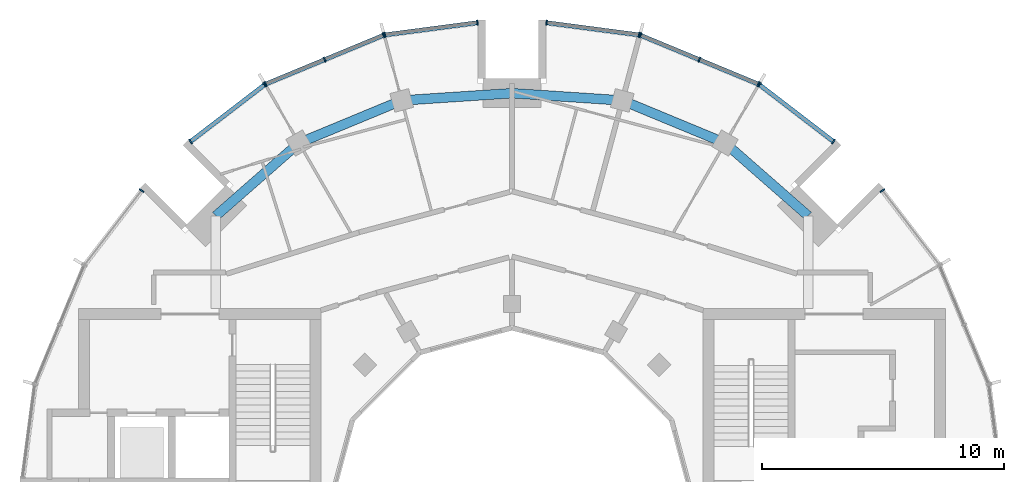
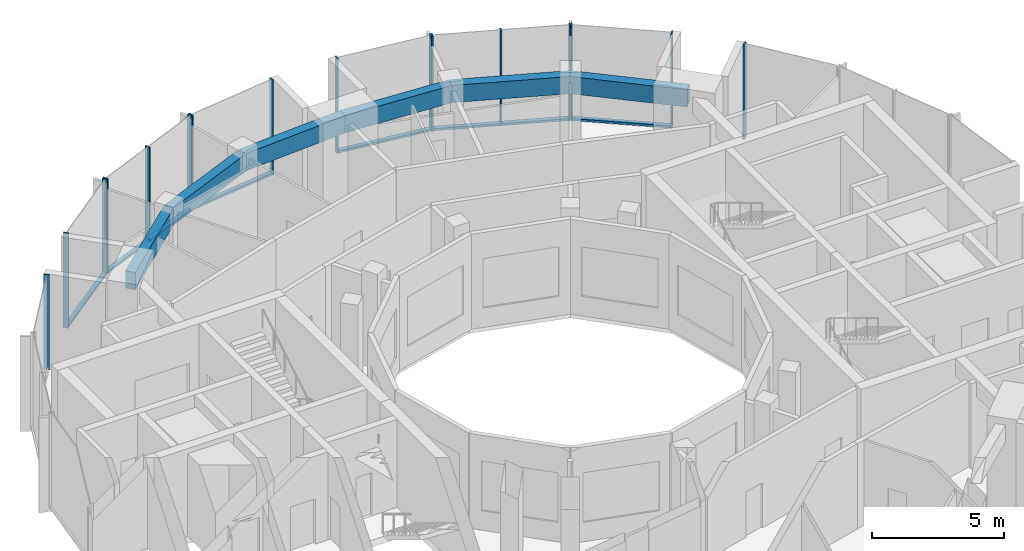
# One storey, part 5 of 13: 24 members, 6 beams, 8 elements without a shape of their own.
"""IFC4 building model written with IfcOpenShell, lengths in metres."""

from ifc_helpers import new_model, si_unit, direction, frame, origin, origin_2d, place, context, subcontext, project, spatial, rectangle, extrude, material, layer, layer_set, material_profile, profile_set, type_object, element, aggregate, save


model = new_model("IFC4")

# Units and contexts
model_context = context("Model", 3, precision=1e-05, world=origin(), true_north=direction((0.0, 1.0)))
body_context = subcontext(model_context, "Body", "Model", "MODEL_VIEW")
ifc_project = project(units=[si_unit("LENGTHUNIT", "METRE"), si_unit("AREAUNIT", "SQUARE_METRE"), si_unit("VOLUMEUNIT", "CUBIC_METRE"), si_unit("PLANEANGLEUNIT", "RADIAN"), si_unit("MASSUNIT", "GRAM", prefix="KILO")], contexts=[model_context])

# Site, building, storey
site_placement = place(None, origin())
site = spatial("IfcSite", under=ifc_project, at=site_placement, CompositionType="ELEMENT")
building_placement = place(site_placement, origin())
building = spatial("IfcBuilding", under=site, at=building_placement, Name="Torre Brocal", CompositionType="ELEMENT")
storey_placement = place(building_placement, frame((0.0, 0.0, 319.300048828125)))
storey = spatial("IfcBuildingStorey", under=building, at=storey_placement, Name="L73", CompositionType="ELEMENT", Elevation=319.300048828125)

# Curtain wall, member
ifc_material_1 = material(Name="Aluminium and glass", Category="aluminium")
ifc_layer = layer(ifc_material_1, 0.199951171875)
ifc_layer_set = layer_set([ifc_layer], Name="Aluminium and glass")
curtain_wall_type = type_object("IfcCurtainWallType", Name="CW-5 CURTAIN WALL 4400 HIGH", PredefinedType="NOTDEFINED", material=ifc_layer_set)
curtain_wall_1_placement = place(storey_placement, origin())
curtain_wall_1 = element("IfcCurtainWall", 1, at=curtain_wall_1_placement, inside=storey, type_object=curtain_wall_type, Name="CW-5 RUN 3", PredefinedType="NOTDEFINED")
ifc_material_2 = material(Name="Aluminium, dark anodised", Category="aluminium")
ifc_material_profile_1 = material_profile(ifc_material_2, rectangle(XDim=0.219970703125, YDim=0.06005859375, at=origin_2d()), Name="CW-5 MULLION 60X220")
ifc_profile_set_1 = profile_set([ifc_material_profile_1], Name="Aluminium, dark anodised")
member_type_1 = type_object("IfcMemberType", Name="CW-5 MULLION 60X220", PredefinedType="MULLION", material=ifc_profile_set_1)
member_1_placement = place(storey_placement, frame((95.30224609375, 88.2802734375, 0.0), z_axis=(0.0, 0.0, 1.0), x_axis=(-0.793353340376, -0.608761428898, 0.0)))
member_1 = element("IfcMember", 2, at=member_1_placement, type_object=member_type_1, Name="CW5-1 mullion 2", PredefinedType="MULLION", context=body_context, shape_type="SweptSolid", body=[
    extrude(rectangle(XDim=0.219970703125, YDim=0.06005859375, at=origin_2d()), origin(), (0.0, 0.0, 1.0), 4.39990234375),
])
aggregate(curtain_wall_1, [member_1])

# Curtain wall, members
curtain_wall_2_placement = place(storey_placement, origin())
curtain_wall_2 = element("IfcCurtainWall", 3, at=curtain_wall_2_placement, inside=storey, type_object=curtain_wall_type, Name="CW-5 RUN 4", PredefinedType="NOTDEFINED")
member_2_placement = place(storey_placement, frame((93.2802734375, 90.30224609375, 0.0), z_axis=(0.0, 0.0, 1.0), x_axis=(-0.608761428898, -0.793353340376, 0.0)))
member_2 = element("IfcMember", 4, at=member_2_placement, type_object=member_type_1, Name="CW5-1 mullion 1", PredefinedType="MULLION", context=body_context, shape_type="SweptSolid", body=[
    extrude(rectangle(XDim=0.219970703125, YDim=0.06005859375, at=origin_2d()), origin(), (0.0, 0.0, 1.0), 4.39990234375),
])
member_3_placement = place(storey_placement, frame((90.223388671875, 92.64794921875, 0.0), z_axis=(0.0, 0.0, 1.0), x_axis=(-0.608761428898, -0.793353340376, 0.0)))
member_3 = element("IfcMember", 5, at=member_3_placement, type_object=member_type_1, Name="CW5-1 mullion 2", PredefinedType="MULLION", context=body_context, shape_type="SweptSolid", body=[
    extrude(rectangle(XDim=0.219970703125, YDim=0.06005859375, at=origin_2d()), origin(), (0.0, 0.0, 1.0), 4.39990234375),
])

curtain_wall_3_placement = place(storey_placement, origin())
curtain_wall_3 = element("IfcCurtainWall", 6, at=curtain_wall_3_placement, inside=storey, type_object=curtain_wall_type, Name="CW-5 RUN 5", PredefinedType="NOTDEFINED")
member_4_placement = place(storey_placement, frame((90.171875, 92.677734375, 0.0), z_axis=(0.0, 0.0, 1.0), x_axis=(-0.382683432446, -0.923879532478, 0.0)))
member_4 = element("IfcMember", 7, at=member_4_placement, type_object=member_type_1, Name="CW5-1 mullion 1", PredefinedType="MULLION", context=body_context, shape_type="SweptSolid", body=[
    extrude(rectangle(XDim=0.219970703125, YDim=0.06005859375, at=origin_2d()), origin(), (0.0, 0.0, 1.0), 4.39990234375),
])
member_5_placement = place(storey_placement, frame((87.73974609375, 93.68505859375, 0.0), z_axis=(0.0, 0.0, 1.0), x_axis=(-0.382683432446, -0.923879532478, 0.0)))
member_5 = element("IfcMember", 8, at=member_5_placement, type_object=member_type_1, Name="CW5-1 mullion 2", PredefinedType="MULLION", context=body_context, shape_type="SweptSolid", body=[
    extrude(rectangle(XDim=0.219970703125, YDim=0.06005859375, at=origin_2d()), origin(), (0.0, 0.0, 1.0), 4.39990234375),
])
member_6_placement = place(storey_placement, frame((85.307373046875, 94.692626953125, 0.0), z_axis=(0.0, 0.0, 1.0), x_axis=(-0.382683432446, -0.923879532478, 0.0)))
member_6 = element("IfcMember", 9, at=member_6_placement, type_object=member_type_1, Name="CW5-1 mullion 3", PredefinedType="MULLION", context=body_context, shape_type="SweptSolid", body=[
    extrude(rectangle(XDim=0.219970703125, YDim=0.06005859375, at=origin_2d()), origin(), (0.0, 0.0, 1.0), 4.39990234375),
])

curtain_wall_4_placement = place(storey_placement, origin())
curtain_wall_4 = element("IfcCurtainWall", 10, at=curtain_wall_4_placement, inside=storey, type_object=curtain_wall_type, Name="CW-5 RUN 6", PredefinedType="NOTDEFINED")
member_7_placement = place(storey_placement, frame((85.25, 94.7080078125, 0.0), z_axis=(0.0, 0.0, 1.0), x_axis=(-0.130526192064, -0.991444861394, 0.0)))
member_7 = element("IfcMember", 11, at=member_7_placement, type_object=member_type_1, Name="CW5-1 mullion 1", PredefinedType="MULLION", context=body_context, shape_type="SweptSolid", body=[
    extrude(rectangle(XDim=0.219970703125, YDim=0.06005859375, at=origin_2d()), origin(), (0.0, 0.0, 1.0), 4.39990234375),
])
member_8_placement = place(storey_placement, frame((81.4296875, 95.2109375, 0.0), z_axis=(0.0, 0.0, 1.0), x_axis=(-0.130526192064, -0.991444861394, 0.0)))
member_8 = element("IfcMember", 12, at=member_8_placement, type_object=member_type_1, Name="CW5-1 mullion 2", PredefinedType="MULLION", context=body_context, shape_type="SweptSolid", body=[
    extrude(rectangle(XDim=0.219970703125, YDim=0.06005859375, at=origin_2d()), origin(), (0.0, 0.0, 1.0), 4.39990234375),
])

curtain_wall_5_placement = place(storey_placement, origin())
curtain_wall_5 = element("IfcCurtainWall", 13, at=curtain_wall_5_placement, inside=storey, type_object=curtain_wall_type, Name="CW-5 RUN 7", PredefinedType="NOTDEFINED")
member_9_placement = place(storey_placement, frame((78.5703125, 95.2109375, 0.0), z_axis=(0.0, 0.0, 1.0), x_axis=(0.130526192064, -0.991444861394, 0.0)))
member_9 = element("IfcMember", 14, at=member_9_placement, type_object=member_type_1, Name="CW5-1 mullion 1", PredefinedType="MULLION", context=body_context, shape_type="SweptSolid", body=[
    extrude(rectangle(XDim=0.219970703125, YDim=0.06005859375, at=origin_2d()), origin(), (0.0, 0.0, 1.0), 4.39990234375),
])
member_10_placement = place(storey_placement, frame((74.75, 94.7080078125, 0.0), z_axis=(0.0, 0.0, 1.0), x_axis=(0.130526192064, -0.991444861394, 0.0)))
member_10 = element("IfcMember", 15, at=member_10_placement, type_object=member_type_1, Name="CW5-1 mullion 2", PredefinedType="MULLION", context=body_context, shape_type="SweptSolid", body=[
    extrude(rectangle(XDim=0.219970703125, YDim=0.06005859375, at=origin_2d()), origin(), (0.0, 0.0, 1.0), 4.39990234375),
])

curtain_wall_6_placement = place(storey_placement, origin())
curtain_wall_6 = element("IfcCurtainWall", 16, at=curtain_wall_6_placement, inside=storey, type_object=curtain_wall_type, Name="CW-5 RUN 8", PredefinedType="NOTDEFINED")
member_11_placement = place(storey_placement, frame((74.692626953125, 94.692626953125, 0.0), z_axis=(0.0, 0.0, 1.0), x_axis=(0.382683432446, -0.923879532478, 0.0)))
member_11 = element("IfcMember", 17, at=member_11_placement, type_object=member_type_1, Name="CW5-1 mullion 1", PredefinedType="MULLION", context=body_context, shape_type="SweptSolid", body=[
    extrude(rectangle(XDim=0.219970703125, YDim=0.06005859375, at=origin_2d()), origin(), (0.0, 0.0, 1.0), 4.39990234375),
])
member_12_placement = place(storey_placement, frame((72.26025390625, 93.68505859375, 0.0), z_axis=(0.0, 0.0, 1.0), x_axis=(0.382683432446, -0.923879532478, 0.0)))
member_12 = element("IfcMember", 18, at=member_12_placement, type_object=member_type_1, Name="CW5-1 mullion 2", PredefinedType="MULLION", context=body_context, shape_type="SweptSolid", body=[
    extrude(rectangle(XDim=0.219970703125, YDim=0.06005859375, at=origin_2d()), origin(), (0.0, 0.0, 1.0), 4.39990234375),
])
member_13_placement = place(storey_placement, frame((69.828125, 92.677734375, 0.0), z_axis=(0.0, 0.0, 1.0), x_axis=(0.382683432446, -0.923879532478, 0.0)))
member_13 = element("IfcMember", 19, at=member_13_placement, type_object=member_type_1, Name="CW5-1 mullion 3", PredefinedType="MULLION", context=body_context, shape_type="SweptSolid", body=[
    extrude(rectangle(XDim=0.219970703125, YDim=0.06005859375, at=origin_2d()), origin(), (0.0, 0.0, 1.0), 4.39990234375),
])

curtain_wall_7_placement = place(storey_placement, origin())
curtain_wall_7 = element("IfcCurtainWall", 20, at=curtain_wall_7_placement, inside=storey, type_object=curtain_wall_type, Name="CW-5 RUN 9", PredefinedType="NOTDEFINED")
member_14_placement = place(storey_placement, frame((69.776611328125, 92.64794921875, 0.0), z_axis=(0.0, 0.0, 1.0), x_axis=(0.608761428898, -0.793353340376, 0.0)))
member_14 = element("IfcMember", 21, at=member_14_placement, type_object=member_type_1, Name="CW5-1 mullion 1", PredefinedType="MULLION", context=body_context, shape_type="SweptSolid", body=[
    extrude(rectangle(XDim=0.219970703125, YDim=0.06005859375, at=origin_2d()), origin(), (0.0, 0.0, 1.0), 4.39990234375),
])
member_15_placement = place(storey_placement, frame((66.7197265625, 90.30224609375, 0.0), z_axis=(0.0, 0.0, 1.0), x_axis=(0.608761428898, -0.793353340376, 0.0)))
member_15 = element("IfcMember", 22, at=member_15_placement, type_object=member_type_1, Name="CW5-1 mullion 2", PredefinedType="MULLION", context=body_context, shape_type="SweptSolid", body=[
    extrude(rectangle(XDim=0.219970703125, YDim=0.06005859375, at=origin_2d()), origin(), (0.0, 0.0, 1.0), 4.39990234375),
])

# Curtain wall, member
curtain_wall_8_placement = place(storey_placement, origin())
curtain_wall_8 = element("IfcCurtainWall", 23, at=curtain_wall_8_placement, inside=storey, type_object=curtain_wall_type, Name="CW-5 RUN 10", PredefinedType="NOTDEFINED")
member_16_placement = place(storey_placement, frame((64.69775390625, 88.2802734375, 0.0), z_axis=(0.0, 0.0, 1.0), x_axis=(0.793353340376, -0.608761428898, 0.0)))
member_16 = element("IfcMember", 24, at=member_16_placement, type_object=member_type_1, Name="CW5-1 mullion 1", PredefinedType="MULLION", context=body_context, shape_type="SweptSolid", body=[
    extrude(rectangle(XDim=0.219970703125, YDim=0.06005859375, at=origin_2d()), origin(), (0.0, 0.0, 1.0), 4.39990234375),
])
aggregate(curtain_wall_8, [member_16])

# Member
ifc_material_3 = material(Name="Aluminium, dark anodised", Category="aluminium")
ifc_material_profile_2 = material_profile(ifc_material_3, rectangle(XDim=0.179931640625, YDim=0.10009765625, at=origin_2d()), Name="CW-5 TRANSOM 180X100")
ifc_profile_set_2 = profile_set([ifc_material_profile_2], Name="Aluminium, dark anodised")
member_type_2 = type_object("IfcMemberType", Name="CW-5 TRANSOM 180X100", PredefinedType="USERDEFINED", material=ifc_profile_set_2)
member_17_placement = place(storey_placement, frame((93.256591796875, 90.320556640625, 0.050048828125), z_axis=(-0.793379443335, 0.60872740935, 0.0), x_axis=(-0.60872740935, -0.793379443335, 0.0)))
member_17 = element("IfcMember", 25, at=member_17_placement, type_object=member_type_2, Name="CW5-1 transom 1.1", ObjectType="TRANSOM", PredefinedType="USERDEFINED", context=body_context, shape_type="SweptSolid", body=[
    extrude(rectangle(XDim=0.179931640625, YDim=0.10009765625, at=origin_2d()), origin(), (0.0, 0.0, 1.0), 3.793212890625),
])

aggregate(curtain_wall_2, [member_2, member_3, member_17])

member_18_placement = place(storey_placement, frame((90.14404296875, 92.689208984375, 0.050048828125), z_axis=(-0.923891914334, 0.382653538633, 0.0), x_axis=(-0.382653538633, -0.923891914334, 0.0)))
member_18 = element("IfcMember", 26, at=member_18_placement, type_object=member_type_2, Name="CW5-1 transom 1.1", ObjectType="TRANSOM", PredefinedType="USERDEFINED", context=body_context, shape_type="SweptSolid", body=[
    extrude(rectangle(XDim=0.179931640625, YDim=0.10009765625, at=origin_2d()), origin(), (0.0, 0.0, 1.0), 2.572509765625),
])

member_19_placement = place(storey_placement, frame((87.7119140625, 93.696533203125, 0.050048828125), z_axis=(-0.923858360488, 0.382734542152, 0.0), x_axis=(-0.382734542152, -0.923858360488, 0.0)))
member_19 = element("IfcMember", 27, at=member_19_placement, type_object=member_type_2, Name="CW5-1 transom 2.1", ObjectType="TRANSOM", PredefinedType="USERDEFINED", context=body_context, shape_type="SweptSolid", body=[
    extrude(rectangle(XDim=0.179931640625, YDim=0.10009765625, at=origin_2d()), origin(), (0.0, 0.0, 1.0), 2.572509765625),
])

aggregate(curtain_wall_3, [member_4, member_5, member_6, member_18, member_19])

member_20_placement = place(storey_placement, frame((85.22021484375, 94.7119140625, 0.050048828125), z_axis=(-0.99144465375, 0.130527769268, 0.0), x_axis=(-0.130527769268, -0.99144465375, 0.0)))
member_20 = element("IfcMember", 28, at=member_20_placement, type_object=member_type_2, Name="CW5-1 transom 1.1", ObjectType="TRANSOM", PredefinedType="USERDEFINED", context=body_context, shape_type="SweptSolid", body=[
    extrude(rectangle(XDim=0.179931640625, YDim=0.10009765625, at=origin_2d()), origin(), (0.0, 0.0, 1.0), 3.793212890625),
])

aggregate(curtain_wall_4, [member_7, member_8, member_20])

member_21_placement = place(storey_placement, frame((78.54052734375, 95.20703125, 0.050048828125), z_axis=(-0.99144465375, -0.130527769268, 0.0), x_axis=(0.130527769268, -0.99144465375, 0.0)))
member_21 = element("IfcMember", 29, at=member_21_placement, type_object=member_type_2, Name="CW5-1 transom 1.1", ObjectType="TRANSOM", PredefinedType="USERDEFINED", context=body_context, shape_type="SweptSolid", body=[
    extrude(rectangle(XDim=0.179931640625, YDim=0.10009765625, at=origin_2d()), origin(), (0.0, 0.0, 1.0), 3.793212890625),
])

aggregate(curtain_wall_5, [member_9, member_10, member_21])

member_22_placement = place(storey_placement, frame((74.664794921875, 94.68115234375, 0.050048828125), z_axis=(-0.923858360488, -0.382734542152, 0.0), x_axis=(0.382734542152, -0.923858360488, 0.0)))
member_22 = element("IfcMember", 30, at=member_22_placement, type_object=member_type_2, Name="CW5-1 transom 1.1", ObjectType="TRANSOM", PredefinedType="USERDEFINED", context=body_context, shape_type="SweptSolid", body=[
    extrude(rectangle(XDim=0.179931640625, YDim=0.10009765625, at=origin_2d()), origin(), (0.0, 0.0, 1.0), 2.572509765625),
])

member_23_placement = place(storey_placement, frame((72.232666015625, 93.673583984375, 0.050048828125), z_axis=(-0.923891914334, -0.382653538633, 0.0), x_axis=(0.382653538633, -0.923891914334, 0.0)))
member_23 = element("IfcMember", 31, at=member_23_placement, type_object=member_type_2, Name="CW5-1 transom 2.1", ObjectType="TRANSOM", PredefinedType="USERDEFINED", context=body_context, shape_type="SweptSolid", body=[
    extrude(rectangle(XDim=0.179931640625, YDim=0.10009765625, at=origin_2d()), origin(), (0.0, 0.0, 1.0), 2.572509765625),
])

aggregate(curtain_wall_6, [member_11, member_12, member_13, member_22, member_23])

member_24_placement = place(storey_placement, frame((69.7529296875, 92.629638671875, 0.050048828125), z_axis=(-0.793379443335, -0.60872740935, 0.0), x_axis=(0.60872740935, -0.793379443335, 0.0)))
member_24 = element("IfcMember", 32, at=member_24_placement, type_object=member_type_2, Name="CW5-1 transom 1.1", ObjectType="TRANSOM", PredefinedType="USERDEFINED", context=body_context, shape_type="SweptSolid", body=[
    extrude(rectangle(XDim=0.179931640625, YDim=0.10009765625, at=origin_2d()), origin(), (0.0, 0.0, 1.0), 3.793212890625),
])

aggregate(curtain_wall_7, [member_14, member_15, member_24])

# Beams
ifc_material_4 = material(Name="Concrete C50", Category="concrete")
ifc_material_profile_3 = material_profile(ifc_material_4, rectangle(XDim=0.39990234375, YDim=0.800048828125, at=origin_2d()), Name="RC 400X800")
ifc_profile_set_3 = profile_set([ifc_material_profile_3], Name="Concrete C50")
beam_type = type_object("IfcBeamType", Name="RC SPANDREL BEAM 400X800 C50 TOP 4080", PredefinedType="SPANDREL", material=ifc_profile_set_3)
beam_1_placement = place(storey_placement, frame((92.23291015625, 87.23291015625, 3.679931640625), z_axis=(-0.752003258433, 0.659159388393, 0.0), x_axis=(-0.659159388393, -0.752003258433, 0.0)))
element("IfcBeam", 33, at=beam_1_placement, inside=storey, type_object=beam_type, Name="Beam BT-50", PredefinedType="SPANDREL", context=body_context, shape_type="SweptSolid", body=[
    extrude(rectangle(XDim=0.39990234375, YDim=0.800048828125, at=origin_2d()), origin(), (0.0, 0.0, 1.0), 4.56494140625),
])
beam_2_placement = place(storey_placement, frame((88.800048828125, 90.241943359375, 3.679931640625), z_axis=(-0.923878240166, 0.382686552348, 0.0), x_axis=(-0.382686552348, -0.923878240166, 0.0)))
element("IfcBeam", 34, at=beam_2_placement, inside=storey, type_object=beam_type, Name="Beam BT-50", PredefinedType="SPANDREL", context=body_context, shape_type="SweptSolid", body=[
    extrude(rectangle(XDim=0.39990234375, YDim=0.800048828125, at=origin_2d()), origin(), (0.0, 0.0, 1.0), 4.5947265625),
])
for number, where, z_axis, x_axis, name in (
    (35, (84.55517578125, 92.000244140625, 3.679931640625), (-0.9978411205, 0.06567418244, 0.0), (-0.06567418244, -0.9978411205, 0.0), "Beam BT-50"),
    (36, (80.0, 92.300048828125, 3.679931640625), (-0.9978411205, -0.06567418244, 0.0), (0.06567418244, -0.9978411205, 0.0), "Beam BT-50"),
):
    element("IfcBeam", number, at=place(storey_placement, frame(where, z_axis=z_axis, x_axis=x_axis)), inside=storey, type_object=beam_type, Name=name, PredefinedType="SPANDREL", context=body_context, shape_type="SweptSolid", body=[
        extrude(rectangle(XDim=0.39990234375, YDim=0.800048828125, at=origin_2d()), origin(), (0.0, 0.0, 1.0), 4.56494140625),
    ])
beam_3_placement = place(storey_placement, frame((75.44482421875, 92.000244140625, 3.679931640625), z_axis=(-0.923878240166, -0.382686552348, 0.0), x_axis=(0.382686552348, -0.923878240166, 0.0)))
element("IfcBeam", 37, at=beam_3_placement, inside=storey, type_object=beam_type, Name="Beam BT-50", PredefinedType="SPANDREL", context=body_context, shape_type="SweptSolid", body=[
    extrude(rectangle(XDim=0.39990234375, YDim=0.800048828125, at=origin_2d()), origin(), (0.0, 0.0, 1.0), 4.5947265625),
])
beam_4_placement = place(storey_placement, frame((71.199951171875, 90.241943359375, 3.679931640625), z_axis=(-0.752003258433, -0.659159388393, 0.0), x_axis=(0.659159388393, -0.752003258433, 0.0)))
element("IfcBeam", 38, at=beam_4_placement, inside=storey, type_object=beam_type, Name="Beam BT-50", PredefinedType="SPANDREL", context=body_context, shape_type="SweptSolid", body=[
    extrude(rectangle(XDim=0.39990234375, YDim=0.800048828125, at=origin_2d()), origin(), (0.0, 0.0, 1.0), 4.56494140625),
])

save(model, "model.ifc")
